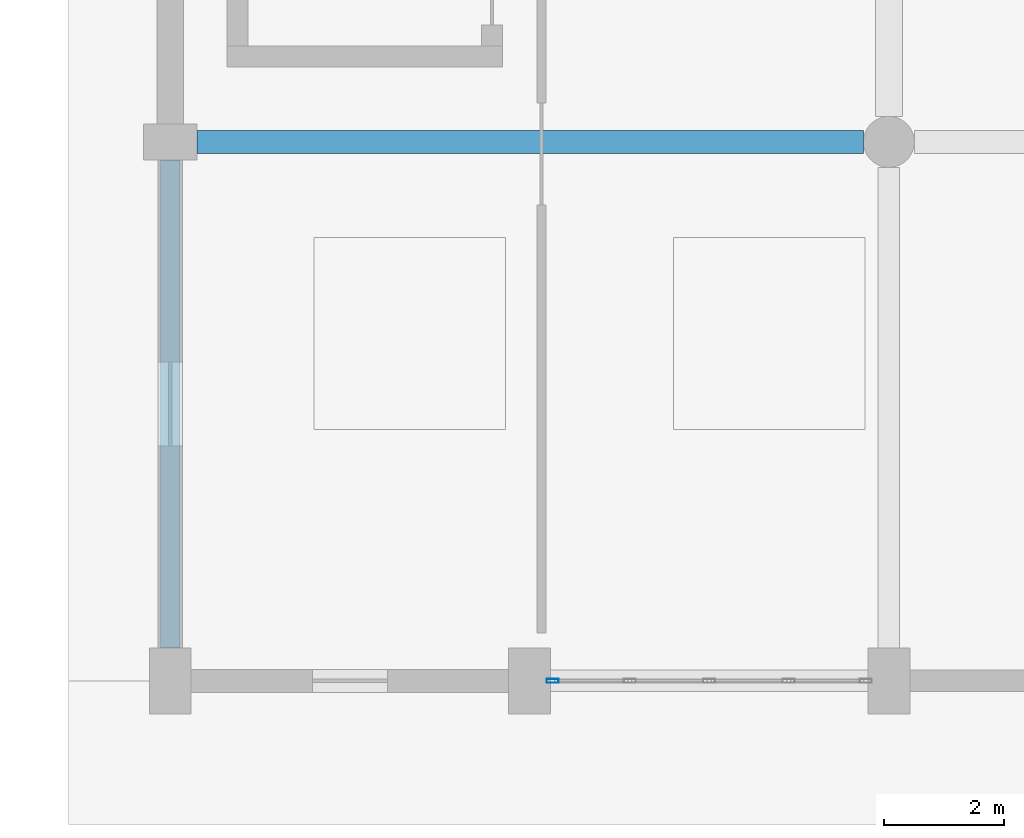
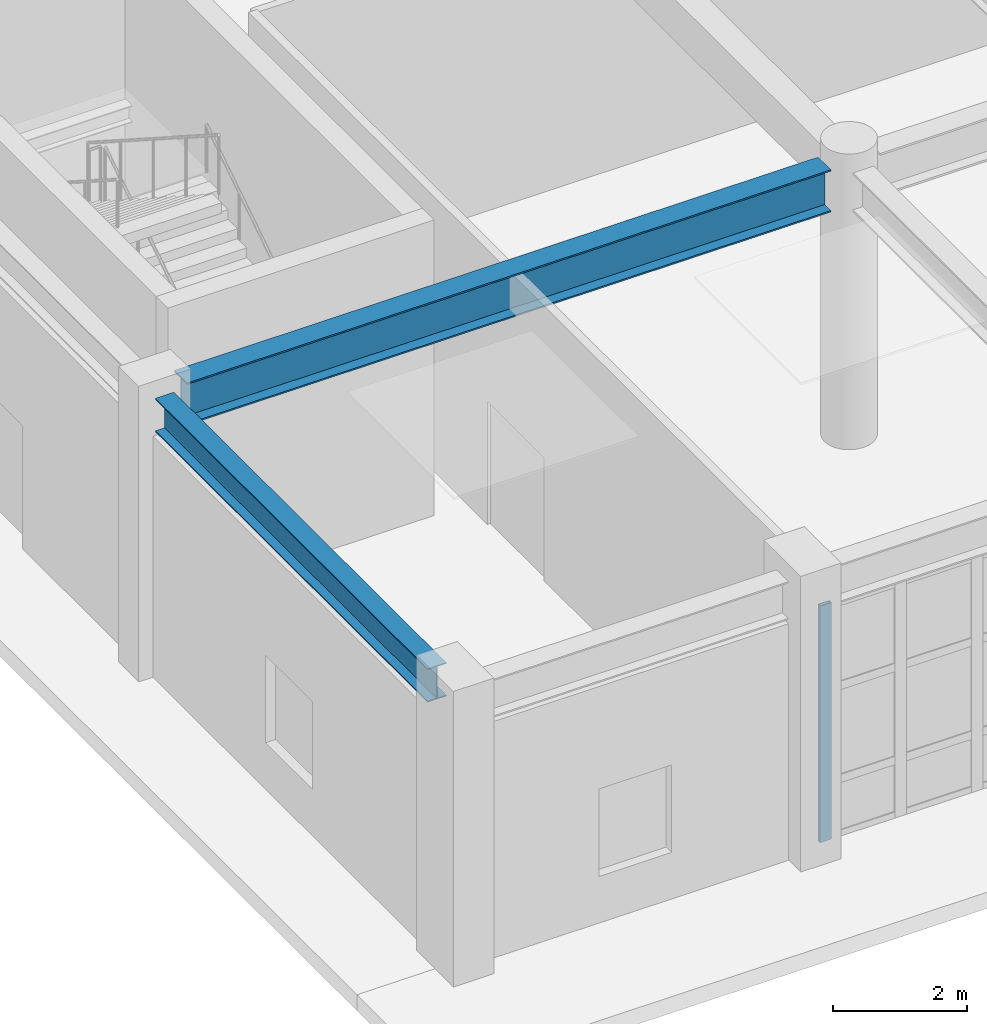
# One storey, part 5 of 91: 2 beams, 1 member, 1 element without a shape of its own.
"""IFC4 building model written with IfcOpenShell, lengths in metres."""

from ifc_helpers import new_model, si_unit, direction, frame, origin, origin_2d, place, context, subcontext, project, spatial, hollow_rectangle, i_section, extrude, material, layer, layer_set, material_profile, profile_set, type_object, element, aggregate, save


model = new_model("IFC4")

# Units and contexts
model_context = context("Model", 3, precision=1e-05, world=origin(), true_north=direction((0.0, 1.0)))
body_context = subcontext(model_context, "Body", "Model", "MODEL_VIEW")
ifc_project = project(units=[si_unit("LENGTHUNIT", "METRE"), si_unit("AREAUNIT", "SQUARE_METRE"), si_unit("VOLUMEUNIT", "CUBIC_METRE"), si_unit("PLANEANGLEUNIT", "RADIAN"), si_unit("MASSUNIT", "GRAM", prefix="KILO")], contexts=[model_context])

# Site, building, storey
site_placement = place(None, origin())
site = spatial("IfcSite", under=ifc_project, at=site_placement, CompositionType="ELEMENT")
building_placement = place(site_placement, origin())
building = spatial("IfcBuilding", under=site, at=building_placement, Name="Vaelkrest Opera House", CompositionType="ELEMENT")
storey_placement = place(building_placement, origin())
storey = spatial("IfcBuildingStorey", under=building, at=storey_placement, Name="L00", CompositionType="ELEMENT", Elevation=0.0)

# Beam
ifc_material_1 = material(Name="Steel A992 Gr50", Category="steel")
ifc_material_profile_1 = material_profile(ifc_material_1, i_section(OverallWidth=0.381103515625, OverallDepth=0.77294921875, WebThickness=0.0166015625, FlangeThickness=0.027099609375, at=origin_2d()), Name="W30X173")
ifc_profile_set_1 = profile_set([ifc_material_profile_1], Name="Steel A992 Gr50")
beam_type_1 = type_object("IfcBeamType", Name="B11", PredefinedType="BEAM", material=ifc_profile_set_1)
beam_1_placement = place(storey_placement, frame((-29.550048828125, -46.800048828125, 4.693603515625), z_axis=(1.0, 0.0, 0.0), x_axis=(0.0, 1.0, 0.0)))
element("IfcBeam", 1, at=beam_1_placement, inside=storey, type_object=beam_type_1, Name="Beam BM-V1-L00-0095", PredefinedType="BEAM", context=body_context, shape_type="SweptSolid", body=[
    extrude(i_section(OverallWidth=0.381103515625, OverallDepth=0.77294921875, WebThickness=0.0166015625, FlangeThickness=0.027099609375, at=origin_2d()), origin(), (0.0, 0.0, 1.0), 11.125),
])

# Curtain wall, member
ifc_material_2 = material(Name="Dark bronze anodized aluminium", Category="aluminium")
ifc_layer = layer(ifc_material_2, 0.18994140625)
ifc_layer_set = layer_set([ifc_layer], Name="Dark bronze anodized aluminium")
curtain_wall_type = type_object("IfcCurtainWallType", Name="CW02", PredefinedType="NOTDEFINED", material=ifc_layer_set)
curtain_wall_placement = place(storey_placement, origin())
curtain_wall = element("IfcCurtainWall", 2, at=curtain_wall_placement, inside=storey, type_object=curtain_wall_type, Name="Curtain wall CW-L00-013", PredefinedType="NOTDEFINED")
ifc_material_profile_2 = material_profile(ifc_material_2, hollow_rectangle(XDim=0.070068359375, YDim=0.199951171875, WallThickness=0.004150390625, at=origin_2d()), Name="CWM70X200")
ifc_profile_set_2 = profile_set([ifc_material_profile_2], Name="Dark bronze anodized aluminium")
member_type = type_object("IfcMemberType", Name="CWM02", PredefinedType="MULLION", material=ifc_profile_set_2)
member_placement = place(storey_placement, frame((-23.616943359375, -55.800048828125, 0.0), z_axis=(0.0, 0.0, 1.0), x_axis=(0.0, -1.0, 0.0)))
member = element("IfcMember", 3, at=member_placement, type_object=member_type, Name="CW02 mullion 5", PredefinedType="MULLION", context=body_context, shape_type="SweptSolid", body=[
    extrude(hollow_rectangle(XDim=0.070068359375, YDim=0.199951171875, WallThickness=0.004150390625, at=origin_2d()), origin(), (0.0, 0.0, 1.0), 4.320068359375),
])
aggregate(curtain_wall, [member])

# Beam
ifc_material_profile_3 = material_profile(ifc_material_1, i_section(OverallWidth=0.323974609375, OverallDepth=0.611083984375, WebThickness=0.0126953125, FlangeThickness=0.01904296875, at=origin_2d()), Name="W24X104")
ifc_profile_set_3 = profile_set([ifc_material_profile_3], Name="Steel A992 Gr50")
beam_type_2 = type_object("IfcBeamType", Name="SP01", PredefinedType="SPANDREL", material=ifc_profile_set_3)
beam_2_placement = place(storey_placement, frame((-30.0, -55.25, 4.7744140625), z_axis=(0.0, 1.0, 0.0), x_axis=(-1.0, 0.0, 0.0)))
element("IfcBeam", 4, at=beam_2_placement, inside=storey, type_object=beam_type_2, Name="Beam BM-V1-L00-0141", PredefinedType="SPANDREL", context=body_context, shape_type="SweptSolid", body=[
    extrude(i_section(OverallWidth=0.323974609375, OverallDepth=0.611083984375, WebThickness=0.0126953125, FlangeThickness=0.01904296875, at=origin_2d()), origin(), (0.0, 0.0, 1.0), 8.14990234375),
])

save(model, "model.ifc")
